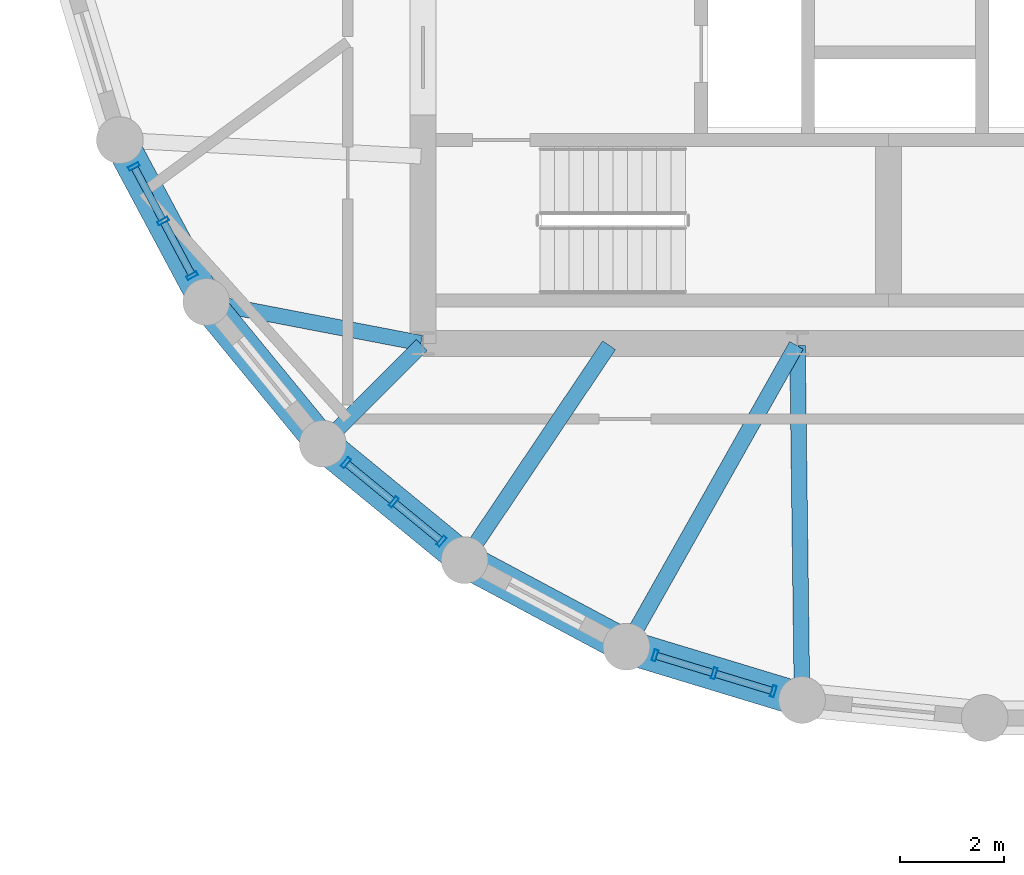
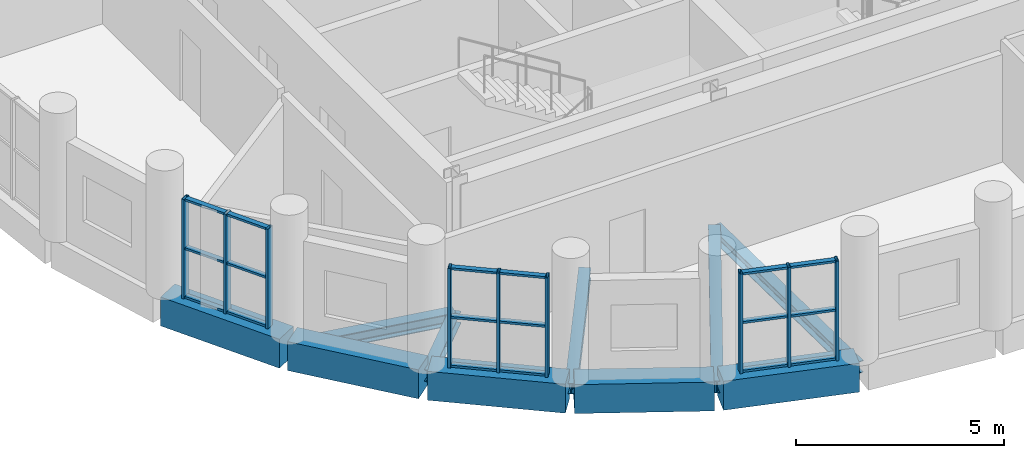
# One storey, part 2 of 14: 27 members, 10 beams, 3 elements without a shape of their own.
"""IFC4 building model written with IfcOpenShell, lengths in metres."""

from ifc_helpers import new_model, si_unit, direction, frame, origin, origin_2d, place, context, subcontext, project, spatial, rectangle, hollow_rectangle, i_section, extrude, material, layer, layer_set, material_profile, profile_set, type_object, element, aggregate, save


model = new_model("IFC4")

# Units and contexts
model_context = context("Model", 3, precision=1e-05, world=origin(), true_north=direction((0.0, 1.0)))
body_context = subcontext(model_context, "Body", "Model", "MODEL_VIEW")
ifc_project = project(units=[si_unit("LENGTHUNIT", "METRE"), si_unit("AREAUNIT", "SQUARE_METRE"), si_unit("VOLUMEUNIT", "CUBIC_METRE"), si_unit("PLANEANGLEUNIT", "RADIAN"), si_unit("MASSUNIT", "GRAM", prefix="KILO")], contexts=[model_context])

# Site, building, storey
site_placement = place(None, origin())
site = spatial("IfcSite", under=ifc_project, at=site_placement, CompositionType="ELEMENT")
building_placement = place(site_placement, origin())
building = spatial("IfcBuilding", under=site, at=building_placement, Name="Solnavia Interchange Tower", CompositionType="ELEMENT")
storey_placement = place(building_placement, frame((0.0, 0.0, 135.199951171875)))
storey = spatial("IfcBuildingStorey", under=building, at=storey_placement, Name="L33", CompositionType="ELEMENT", Elevation=135.199951171875)

# Beams
ifc_material_1 = material(Name="Steel S460", Category="steel")
ifc_material_profile_1 = material_profile(ifc_material_1, i_section(OverallWidth=0.300048828125, OverallDepth=0.360107421875, WebThickness=0.012451171875, FlangeThickness=0.0224609375, FilletRadius=0.027099609375, at=origin_2d()), Name="HEB 360")
ifc_profile_set_1 = profile_set([ifc_material_profile_1], Name="Steel S460")
beam_type_1 = type_object("IfcBeamType", Name="Beam-Girder-HEB360", PredefinedType="BEAM", material=ifc_profile_set_1)
beam_1_placement = place(storey_placement, frame((10.3125, 11.5849609375, -0.429931640625), z_axis=(0.982057527796, -0.188581579428, 0.0), x_axis=(0.188581579428, 0.982057527796, 0.0)))
element("IfcBeam", 1, at=beam_1_placement, inside=storey, type_object=beam_type_1, Name="GRD-L33-DR16 Drum radial floor girder", PredefinedType="BEAM", context=body_context, shape_type="SweptSolid", body=[
    extrude(i_section(OverallWidth=0.300048828125, OverallDepth=0.360107421875, WebThickness=0.012451171875, FlangeThickness=0.0224609375, FilletRadius=0.027099609375, at=origin_2d()), origin(), (0.0, 0.0, 1.0), 4.1220703125),
])
beam_2_placement = place(storey_placement, frame((18.351318359375, 5.039794921875, -0.429931640625), z_axis=(0.491243158486, 0.871022479182, 0.0), x_axis=(-0.871022479182, 0.491243158486, 0.0)))
element("IfcBeam", 2, at=beam_2_placement, inside=storey, type_object=beam_type_1, Name="GRD-L33-DR19 Drum radial floor girder", PredefinedType="BEAM", context=body_context, shape_type="SweptSolid", body=[
    extrude(i_section(OverallWidth=0.300048828125, OverallDepth=0.360107421875, WebThickness=0.012451171875, FlangeThickness=0.0224609375, FilletRadius=0.027099609375, at=origin_2d()), origin(), (0.0, 0.0, 1.0), 6.5732421875),
])
ifc_material_2 = material(Name="Steel S355", Category="steel")
ifc_material_profile_2 = material_profile(ifc_material_2, i_section(OverallWidth=0.300048828125, OverallDepth=0.31005859375, WebThickness=0.009033203125, FlangeThickness=0.015380859375, FilletRadius=0.027099609375, at=origin_2d()), Name="HEA 320")
ifc_profile_set_2 = profile_set([ifc_material_profile_2], Name="Steel S355")
beam_type_2 = type_object("IfcBeamType", Name="Beam-Primary-HEA320", PredefinedType="BEAM", material=ifc_profile_set_2)
beam_3_placement = place(storey_placement, frame((15.24462890625, 6.700439453125, -0.405029296875), z_axis=(0.557835474219, 0.829951555033, 0.0), x_axis=(-0.829951555033, 0.557835474219, 0.0)))
element("IfcBeam", 3, at=beam_3_placement, inside=storey, type_object=beam_type_2, Name="GRD-L33-DR18 Drum radial floor girder", PredefinedType="BEAM", context=body_context, shape_type="SweptSolid", body=[
    extrude(i_section(OverallWidth=0.300048828125, OverallDepth=0.31005859375, WebThickness=0.009033203125, FlangeThickness=0.015380859375, FilletRadius=0.027099609375, at=origin_2d()), origin(), (0.0, 0.0, 1.0), 4.899658203125),
])
ifc_material_profile_3 = material_profile(ifc_material_2, i_section(OverallWidth=0.300048828125, OverallDepth=0.35009765625, WebThickness=0.010009765625, FlangeThickness=0.017578125, FilletRadius=0.027099609375, at=origin_2d()), Name="HEA 360")
ifc_profile_set_3 = profile_set([ifc_material_profile_3], Name="Steel S355")
beam_type_3 = type_object("IfcBeamType", Name="Beam-Primary-HEA360", PredefinedType="BEAM", material=ifc_profile_set_3)
beam_4_placement = place(storey_placement, frame((12.528564453125, 8.9287109375, -0.425048828125), z_axis=(0.707106781187, 0.707106781187, 0.0), x_axis=(-0.707106781187, 0.707106781187, 0.0)))
element("IfcBeam", 4, at=beam_4_placement, inside=storey, type_object=beam_type_3, Name="GRD-L33-DR17 Drum radial floor girder", PredefinedType="BEAM", context=body_context, shape_type="SweptSolid", body=[
    extrude(i_section(OverallWidth=0.300048828125, OverallDepth=0.35009765625, WebThickness=0.010009765625, FlangeThickness=0.017578125, FilletRadius=0.027099609375, at=origin_2d()), origin(), (0.0, 0.0, 1.0), 2.6064453125),
])
beam_5_placement = place(storey_placement, frame((21.68701171875, 4.02587890625, -0.425048828125), z_axis=(-0.01283293513, 0.999917654498, 0.0), x_axis=(-0.999917654498, -0.01283293513, 0.0)))
element("IfcBeam", 5, at=beam_5_placement, inside=storey, type_object=beam_type_3, Name="GRD-L33-DR20 Drum radial floor girder", PredefinedType="BEAM", context=body_context, shape_type="SweptSolid", body=[
    extrude(i_section(OverallWidth=0.300048828125, OverallDepth=0.35009765625, WebThickness=0.010009765625, FlangeThickness=0.017578125, FilletRadius=0.027099609375, at=origin_2d()), origin(), (0.0, 0.0, 1.0), 6.734619140625),
])
ifc_material_3 = material(Name="Concrete C50/60", Category="concrete")
ifc_material_profile_4 = material_profile(ifc_material_3, rectangle(XDim=0.64990234375, YDim=0.85009765625, at=origin_2d()), Name="RC 650x850")
ifc_profile_set_4 = profile_set([ifc_material_profile_4], Name="Concrete C50/60")
beam_type_4 = type_object("IfcBeamType", Name="Beam-Spandrel-RC650x850", PredefinedType="SPANDREL", material=ifc_profile_set_4)
beam_6_placement = place(storey_placement, frame((8.607666015625, 14.6416015625, -0.425048828125), z_axis=(0.471509422952, -0.881861023102, 0.0), x_axis=(0.881861023102, 0.471509422952, 0.0)))
element("IfcBeam", 6, at=beam_6_placement, inside=storey, type_object=beam_type_4, Name="SPB-L33-03 Framed-tube perimeter spandrel beam", PredefinedType="SPANDREL", context=body_context, shape_type="SweptSolid", body=[
    extrude(rectangle(XDim=0.64990234375, YDim=0.85009765625, at=origin_2d()), origin(), (0.0, 0.0, 1.0), 3.369140625),
])
for number, where, z_axis, x_axis, name in (
    (7, (10.28466796875, 11.5380859375, -0.425048828125), (0.634298841675, -0.773087950656, 0.0), (0.773087950656, 0.634298841675, 0.0), "SPB-L33-04 Framed-tube perimeter spandrel beam"),
    (8, (12.53369140625, 8.8212890625, -0.425048828125), (0.773152644452, -0.634219984214, 0.0), (0.634219984214, 0.773152644452, 0.0), "SPB-L33-05 Framed-tube perimeter spandrel beam"),
):
    element("IfcBeam", number, at=place(storey_placement, frame(where, z_axis=z_axis, x_axis=x_axis)), inside=storey, type_object=beam_type_4, Name=name, PredefinedType="SPANDREL", context=body_context, shape_type="SweptSolid", body=[
        extrude(rectangle(XDim=0.64990234375, YDim=0.85009765625, at=origin_2d()), origin(), (0.0, 0.0, 1.0), 3.36865234375),
    ])
beam_7_placement = place(storey_placement, frame((15.2705078125, 6.59619140625, -0.425048828125), z_axis=(0.881875044348, -0.47148319817, 0.0), x_axis=(0.47148319817, 0.881875044348, 0.0)))
element("IfcBeam", 9, at=beam_7_placement, inside=storey, type_object=beam_type_4, Name="SPB-L33-06 Framed-tube perimeter spandrel beam", PredefinedType="SPANDREL", context=body_context, shape_type="SweptSolid", body=[
    extrude(rectangle(XDim=0.64990234375, YDim=0.85009765625, at=origin_2d()), origin(), (0.0, 0.0, 1.0), 3.368896484375),
])
beam_8_placement = place(storey_placement, frame((18.388671875, 4.94677734375, -0.425048828125), z_axis=(0.956943884494, -0.290272978297, 0.0), x_axis=(0.290272978297, 0.956943884494, 0.0)))
element("IfcBeam", 10, at=beam_8_placement, inside=storey, type_object=beam_type_4, Name="SPB-L33-07 Framed-tube perimeter spandrel beam", PredefinedType="SPANDREL", context=body_context, shape_type="SweptSolid", body=[
    extrude(rectangle(XDim=0.64990234375, YDim=0.85009765625, at=origin_2d()), origin(), (0.0, 0.0, 1.0), 3.36767578125),
])

# Curtain wall, members
ifc_material_4 = material(Name="Aluminium Alloy 6063-T6", Category="aluminium")
ifc_layer = layer(ifc_material_4, 0.239990234375)
ifc_layer_set = layer_set([ifc_layer], Name="Aluminium Alloy 6063-T6")
curtain_wall_type = type_object("IfcCurtainWallType", Name="CurtainWall-Drum-CTW2", PredefinedType="NOTDEFINED", material=ifc_layer_set)
curtain_wall_1_placement = place(storey_placement, origin())
curtain_wall_1 = element("IfcCurtainWall", 11, at=curtain_wall_1_placement, inside=storey, type_object=curtain_wall_type, Name="CTW-L33-D51 CTW-2 curtain wall", PredefinedType="NOTDEFINED")
ifc_material_profile_5 = material_profile(ifc_material_4, hollow_rectangle(XDim=0.074951171875, YDim=0.219970703125, WallThickness=0.0048828125, at=origin_2d()), Name="ALU 220x75x5")
ifc_profile_set_5 = profile_set([ifc_material_profile_5], Name="Aluminium Alloy 6063-T6")
member_type_1 = type_object("IfcMemberType", Name="CW-Mullion-CWM-2", PredefinedType="MULLION", material=ifc_profile_set_5)
member_1_placement = place(storey_placement, frame((8.841064453125, 14.204833984375, 0.0), z_axis=(0.0, 0.0, 1.0), x_axis=(0.471560876964, -0.881833509976, 0.0)))
member_1 = element("IfcMember", 12, at=member_1_placement, type_object=member_type_1, Name="CTW-2 mullion 1", PredefinedType="MULLION", context=body_context, shape_type="SweptSolid", body=[
    extrude(hollow_rectangle(XDim=0.074951171875, YDim=0.219970703125, WallThickness=0.0048828125, at=origin_2d()), origin(), (0.0, 0.0, 1.0), 2.929931640625),
])
member_2_placement = place(storey_placement, frame((9.402099609375, 13.156005859375, 0.0), z_axis=(0.0, 0.0, 1.0), x_axis=(0.471560876964, -0.881833509976, 0.0)))
member_2 = element("IfcMember", 13, at=member_2_placement, type_object=member_type_1, Name="CTW-2 mullion 2", PredefinedType="MULLION", context=body_context, shape_type="SweptSolid", body=[
    extrude(hollow_rectangle(XDim=0.074951171875, YDim=0.219970703125, WallThickness=0.0048828125, at=origin_2d()), origin(), (0.0, 0.0, 1.0), 2.929931640625),
])
member_3_placement = place(storey_placement, frame((9.962890625, 12.107177734375, 0.0), z_axis=(0.0, 0.0, 1.0), x_axis=(0.471560876964, -0.881833509976, 0.0)))
member_3 = element("IfcMember", 14, at=member_3_placement, type_object=member_type_1, Name="CTW-2 mullion 3", PredefinedType="MULLION", context=body_context, shape_type="SweptSolid", body=[
    extrude(hollow_rectangle(XDim=0.074951171875, YDim=0.219970703125, WallThickness=0.0048828125, at=origin_2d()), origin(), (0.0, 0.0, 1.0), 2.929931640625),
])

curtain_wall_2_placement = place(storey_placement, origin())
curtain_wall_2 = element("IfcCurtainWall", 15, at=curtain_wall_2_placement, inside=storey, type_object=curtain_wall_type, Name="CTW-L33-D53 CTW-2 curtain wall", PredefinedType="NOTDEFINED")
member_4_placement = place(storey_placement, frame((12.91650390625, 8.50732421875, 0.0), z_axis=(0.0, 0.0, 1.0), x_axis=(0.773103093557, -0.634280384951, 0.0)))
member_4 = element("IfcMember", 16, at=member_4_placement, type_object=member_type_1, Name="CTW-2 mullion 1", PredefinedType="MULLION", context=body_context, shape_type="SweptSolid", body=[
    extrude(hollow_rectangle(XDim=0.074951171875, YDim=0.219970703125, WallThickness=0.0048828125, at=origin_2d()), origin(), (0.0, 0.0, 1.0), 2.929931640625),
])
member_5_placement = place(storey_placement, frame((13.8359375, 7.7529296875, 0.0), z_axis=(0.0, 0.0, 1.0), x_axis=(0.773103093557, -0.634280384951, 0.0)))
member_5 = element("IfcMember", 17, at=member_5_placement, type_object=member_type_1, Name="CTW-2 mullion 2", PredefinedType="MULLION", context=body_context, shape_type="SweptSolid", body=[
    extrude(hollow_rectangle(XDim=0.074951171875, YDim=0.219970703125, WallThickness=0.0048828125, at=origin_2d()), origin(), (0.0, 0.0, 1.0), 2.929931640625),
])
member_6_placement = place(storey_placement, frame((14.75537109375, 6.998779296875, 0.0), z_axis=(0.0, 0.0, 1.0), x_axis=(0.773103093557, -0.634280384951, 0.0)))
member_6 = element("IfcMember", 18, at=member_6_placement, type_object=member_type_1, Name="CTW-2 mullion 3", PredefinedType="MULLION", context=body_context, shape_type="SweptSolid", body=[
    extrude(hollow_rectangle(XDim=0.074951171875, YDim=0.219970703125, WallThickness=0.0048828125, at=origin_2d()), origin(), (0.0, 0.0, 1.0), 2.929931640625),
])

curtain_wall_3_placement = place(storey_placement, origin())
curtain_wall_3 = element("IfcCurtainWall", 19, at=curtain_wall_3_placement, inside=storey, type_object=curtain_wall_type, Name="CTW-L33-D55 CTW-2 curtain wall", PredefinedType="NOTDEFINED")
member_7_placement = place(storey_placement, frame((18.8623046875, 4.80322265625, 0.0), z_axis=(0.0, 0.0, 1.0), x_axis=(0.956942072515, -0.290278951786, 0.0)))
member_7 = element("IfcMember", 20, at=member_7_placement, type_object=member_type_1, Name="CTW-2 mullion 1", PredefinedType="MULLION", context=body_context, shape_type="SweptSolid", body=[
    extrude(hollow_rectangle(XDim=0.074951171875, YDim=0.219970703125, WallThickness=0.0048828125, at=origin_2d()), origin(), (0.0, 0.0, 1.0), 2.929931640625),
])
member_8_placement = place(storey_placement, frame((20.0, 4.4580078125, 0.0), z_axis=(0.0, 0.0, 1.0), x_axis=(0.956942072515, -0.290278951786, 0.0)))
member_8 = element("IfcMember", 21, at=member_8_placement, type_object=member_type_1, Name="CTW-2 mullion 2", PredefinedType="MULLION", context=body_context, shape_type="SweptSolid", body=[
    extrude(hollow_rectangle(XDim=0.074951171875, YDim=0.219970703125, WallThickness=0.0048828125, at=origin_2d()), origin(), (0.0, 0.0, 1.0), 2.929931640625),
])
member_9_placement = place(storey_placement, frame((21.1376953125, 4.11279296875, 0.0), z_axis=(0.0, 0.0, 1.0), x_axis=(0.956942072515, -0.290278951786, 0.0)))
member_9 = element("IfcMember", 22, at=member_9_placement, type_object=member_type_1, Name="CTW-2 mullion 3", PredefinedType="MULLION", context=body_context, shape_type="SweptSolid", body=[
    extrude(hollow_rectangle(XDim=0.074951171875, YDim=0.219970703125, WallThickness=0.0048828125, at=origin_2d()), origin(), (0.0, 0.0, 1.0), 2.929931640625),
])

# Member
ifc_material_profile_6 = material_profile(ifc_material_4, hollow_rectangle(XDim=0.06494140625, YDim=0.139892578125, WallThickness=0.00390625, at=origin_2d()), Name="ALU 140x65x4")
ifc_profile_set_6 = profile_set([ifc_material_profile_6], Name="Aluminium Alloy 6063-T6")
member_type_2 = type_object("IfcMemberType", Name="CW-Transom-CWT-2", PredefinedType="USERDEFINED", material=ifc_profile_set_6)
member_10_placement = place(storey_placement, frame((8.85888671875, 14.171875, 0.032470703125), z_axis=(0.471406647105, -0.881915967122, 0.0), x_axis=(0.0, 0.0, 1.0)))
member_10 = element("IfcMember", 23, at=member_10_placement, type_object=member_type_2, Name="CTW-2 transom 1.1", ObjectType="TRANSOM", PredefinedType="USERDEFINED", context=body_context, shape_type="SweptSolid", body=[
    extrude(hollow_rectangle(XDim=0.06494140625, YDim=0.139892578125, WallThickness=0.00390625, at=origin_2d()), origin(), (0.0, 0.0, 1.0), 1.114501953125),
])

member_11_placement = place(storey_placement, frame((8.85888671875, 14.171875, 1.465087890625), z_axis=(0.471406647105, -0.881915967122, 0.0), x_axis=(0.0, 0.0, 1.0)))
member_11 = element("IfcMember", 24, at=member_11_placement, type_object=member_type_2, Name="CTW-2 transom 1.2", ObjectType="TRANSOM", PredefinedType="USERDEFINED", context=body_context, shape_type="SweptSolid", body=[
    extrude(hollow_rectangle(XDim=0.06494140625, YDim=0.139892578125, WallThickness=0.00390625, at=origin_2d()), origin(), (0.0, 0.0, 1.0), 1.114501953125),
])

member_12_placement = place(storey_placement, frame((8.85888671875, 14.171875, 2.8974609375), z_axis=(0.471406647105, -0.881915967122, 0.0), x_axis=(0.0, 0.0, 1.0)))
member_12 = element("IfcMember", 25, at=member_12_placement, type_object=member_type_2, Name="CTW-2 transom 1.3", ObjectType="TRANSOM", PredefinedType="USERDEFINED", context=body_context, shape_type="SweptSolid", body=[
    extrude(hollow_rectangle(XDim=0.06494140625, YDim=0.139892578125, WallThickness=0.00390625, at=origin_2d()), origin(), (0.0, 0.0, 1.0), 1.114501953125),
])

member_13_placement = place(storey_placement, frame((9.419677734375, 13.123046875, 0.032470703125), z_axis=(0.471576996491, -0.881824889862, 0.0), x_axis=(0.0, 0.0, 1.0)))
member_13 = element("IfcMember", 26, at=member_13_placement, type_object=member_type_2, Name="CTW-2 transom 2.1", ObjectType="TRANSOM", PredefinedType="USERDEFINED", context=body_context, shape_type="SweptSolid", body=[
    extrude(hollow_rectangle(XDim=0.06494140625, YDim=0.139892578125, WallThickness=0.00390625, at=origin_2d()), origin(), (0.0, 0.0, 1.0), 1.11474609375),
])

member_14_placement = place(storey_placement, frame((9.419677734375, 13.123046875, 1.465087890625), z_axis=(0.471576996491, -0.881824889862, 0.0), x_axis=(0.0, 0.0, 1.0)))
member_14 = element("IfcMember", 27, at=member_14_placement, type_object=member_type_2, Name="CTW-2 transom 2.2", ObjectType="TRANSOM", PredefinedType="USERDEFINED", context=body_context, shape_type="SweptSolid", body=[
    extrude(hollow_rectangle(XDim=0.06494140625, YDim=0.139892578125, WallThickness=0.00390625, at=origin_2d()), origin(), (0.0, 0.0, 1.0), 1.11474609375),
])

member_15_placement = place(storey_placement, frame((9.419677734375, 13.123046875, 2.8974609375), z_axis=(0.471576996491, -0.881824889862, 0.0), x_axis=(0.0, 0.0, 1.0)))
member_15 = element("IfcMember", 28, at=member_15_placement, type_object=member_type_2, Name="CTW-2 transom 2.3", ObjectType="TRANSOM", PredefinedType="USERDEFINED", context=body_context, shape_type="SweptSolid", body=[
    extrude(hollow_rectangle(XDim=0.06494140625, YDim=0.139892578125, WallThickness=0.00390625, at=origin_2d()), origin(), (0.0, 0.0, 1.0), 1.11474609375),
])

aggregate(curtain_wall_1, [member_1, member_2, member_3, member_10, member_11, member_12, member_13, member_14, member_15])

member_16_placement = place(storey_placement, frame((12.945556640625, 8.483642578125, 0.032470703125), z_axis=(0.773136723636, -0.634239392158, 0.0), x_axis=(0.0, 0.0, 1.0)))
member_16 = element("IfcMember", 29, at=member_16_placement, type_object=member_type_2, Name="CTW-2 transom 1.1", ObjectType="TRANSOM", PredefinedType="USERDEFINED", context=body_context, shape_type="SweptSolid", body=[
    extrude(hollow_rectangle(XDim=0.06494140625, YDim=0.139892578125, WallThickness=0.00390625, at=origin_2d()), origin(), (0.0, 0.0, 1.0), 1.114501953125),
])

member_17_placement = place(storey_placement, frame((12.945556640625, 8.483642578125, 1.465087890625), z_axis=(0.773136723636, -0.634239392158, 0.0), x_axis=(0.0, 0.0, 1.0)))
member_17 = element("IfcMember", 30, at=member_17_placement, type_object=member_type_2, Name="CTW-2 transom 1.2", ObjectType="TRANSOM", PredefinedType="USERDEFINED", context=body_context, shape_type="SweptSolid", body=[
    extrude(hollow_rectangle(XDim=0.06494140625, YDim=0.139892578125, WallThickness=0.00390625, at=origin_2d()), origin(), (0.0, 0.0, 1.0), 1.114501953125),
])

member_18_placement = place(storey_placement, frame((12.945556640625, 8.483642578125, 2.8974609375), z_axis=(0.773136723636, -0.634239392158, 0.0), x_axis=(0.0, 0.0, 1.0)))
member_18 = element("IfcMember", 31, at=member_18_placement, type_object=member_type_2, Name="CTW-2 transom 1.3", ObjectType="TRANSOM", PredefinedType="USERDEFINED", context=body_context, shape_type="SweptSolid", body=[
    extrude(hollow_rectangle(XDim=0.06494140625, YDim=0.139892578125, WallThickness=0.00390625, at=origin_2d()), origin(), (0.0, 0.0, 1.0), 1.114501953125),
])

member_19_placement = place(storey_placement, frame((13.864990234375, 7.729248046875, 0.032470703125), z_axis=(0.773048573819, -0.634346831407, 0.0), x_axis=(0.0, 0.0, 1.0)))
member_19 = element("IfcMember", 32, at=member_19_placement, type_object=member_type_2, Name="CTW-2 transom 2.1", ObjectType="TRANSOM", PredefinedType="USERDEFINED", context=body_context, shape_type="SweptSolid", body=[
    extrude(hollow_rectangle(XDim=0.06494140625, YDim=0.139892578125, WallThickness=0.00390625, at=origin_2d()), origin(), (0.0, 0.0, 1.0), 1.1142578125),
])

member_20_placement = place(storey_placement, frame((13.864990234375, 7.729248046875, 1.465087890625), z_axis=(0.773048573819, -0.634346831407, 0.0), x_axis=(0.0, 0.0, 1.0)))
member_20 = element("IfcMember", 33, at=member_20_placement, type_object=member_type_2, Name="CTW-2 transom 2.2", ObjectType="TRANSOM", PredefinedType="USERDEFINED", context=body_context, shape_type="SweptSolid", body=[
    extrude(hollow_rectangle(XDim=0.06494140625, YDim=0.139892578125, WallThickness=0.00390625, at=origin_2d()), origin(), (0.0, 0.0, 1.0), 1.1142578125),
])

member_21_placement = place(storey_placement, frame((13.864990234375, 7.729248046875, 2.8974609375), z_axis=(0.773048573819, -0.634346831407, 0.0), x_axis=(0.0, 0.0, 1.0)))
member_21 = element("IfcMember", 34, at=member_21_placement, type_object=member_type_2, Name="CTW-2 transom 2.3", ObjectType="TRANSOM", PredefinedType="USERDEFINED", context=body_context, shape_type="SweptSolid", body=[
    extrude(hollow_rectangle(XDim=0.06494140625, YDim=0.139892578125, WallThickness=0.00390625, at=origin_2d()), origin(), (0.0, 0.0, 1.0), 1.1142578125),
])

aggregate(curtain_wall_2, [member_4, member_5, member_6, member_16, member_17, member_18, member_19, member_20, member_21])

member_22_placement = place(storey_placement, frame((18.898193359375, 4.792236328125, 0.032470703125), z_axis=(0.956965394332, -0.290202057283, 0.0), x_axis=(0.0, 0.0, 1.0)))
member_22 = element("IfcMember", 35, at=member_22_placement, type_object=member_type_2, Name="CTW-2 transom 1.1", ObjectType="TRANSOM", PredefinedType="USERDEFINED", context=body_context, shape_type="SweptSolid", body=[
    extrude(hollow_rectangle(XDim=0.06494140625, YDim=0.139892578125, WallThickness=0.00390625, at=origin_2d()), origin(), (0.0, 0.0, 1.0), 1.11376953125),
])

member_23_placement = place(storey_placement, frame((18.898193359375, 4.792236328125, 1.465087890625), z_axis=(0.956965394332, -0.290202057283, 0.0), x_axis=(0.0, 0.0, 1.0)))
member_23 = element("IfcMember", 36, at=member_23_placement, type_object=member_type_2, Name="CTW-2 transom 1.2", ObjectType="TRANSOM", PredefinedType="USERDEFINED", context=body_context, shape_type="SweptSolid", body=[
    extrude(hollow_rectangle(XDim=0.06494140625, YDim=0.139892578125, WallThickness=0.00390625, at=origin_2d()), origin(), (0.0, 0.0, 1.0), 1.11376953125),
])

member_24_placement = place(storey_placement, frame((18.898193359375, 4.792236328125, 2.8974609375), z_axis=(0.956965394332, -0.290202057283, 0.0), x_axis=(0.0, 0.0, 1.0)))
member_24 = element("IfcMember", 37, at=member_24_placement, type_object=member_type_2, Name="CTW-2 transom 1.3", ObjectType="TRANSOM", PredefinedType="USERDEFINED", context=body_context, shape_type="SweptSolid", body=[
    extrude(hollow_rectangle(XDim=0.06494140625, YDim=0.139892578125, WallThickness=0.00390625, at=origin_2d()), origin(), (0.0, 0.0, 1.0), 1.11376953125),
])

member_25_placement = place(storey_placement, frame((20.035888671875, 4.447021484375, 0.032470703125), z_axis=(0.956965394332, -0.290202057283, 0.0), x_axis=(0.0, 0.0, 1.0)))
member_25 = element("IfcMember", 38, at=member_25_placement, type_object=member_type_2, Name="CTW-2 transom 2.1", ObjectType="TRANSOM", PredefinedType="USERDEFINED", context=body_context, shape_type="SweptSolid", body=[
    extrude(hollow_rectangle(XDim=0.06494140625, YDim=0.139892578125, WallThickness=0.00390625, at=origin_2d()), origin(), (0.0, 0.0, 1.0), 1.11376953125),
])

member_26_placement = place(storey_placement, frame((20.035888671875, 4.447021484375, 1.465087890625), z_axis=(0.956965394332, -0.290202057283, 0.0), x_axis=(0.0, 0.0, 1.0)))
member_26 = element("IfcMember", 39, at=member_26_placement, type_object=member_type_2, Name="CTW-2 transom 2.2", ObjectType="TRANSOM", PredefinedType="USERDEFINED", context=body_context, shape_type="SweptSolid", body=[
    extrude(hollow_rectangle(XDim=0.06494140625, YDim=0.139892578125, WallThickness=0.00390625, at=origin_2d()), origin(), (0.0, 0.0, 1.0), 1.11376953125),
])

member_27_placement = place(storey_placement, frame((20.035888671875, 4.447021484375, 2.8974609375), z_axis=(0.956965394332, -0.290202057283, 0.0), x_axis=(0.0, 0.0, 1.0)))
member_27 = element("IfcMember", 40, at=member_27_placement, type_object=member_type_2, Name="CTW-2 transom 2.3", ObjectType="TRANSOM", PredefinedType="USERDEFINED", context=body_context, shape_type="SweptSolid", body=[
    extrude(hollow_rectangle(XDim=0.06494140625, YDim=0.139892578125, WallThickness=0.00390625, at=origin_2d()), origin(), (0.0, 0.0, 1.0), 1.11376953125),
])

aggregate(curtain_wall_3, [member_7, member_8, member_9, member_22, member_23, member_24, member_25, member_26, member_27])

save(model, "model.ifc")
